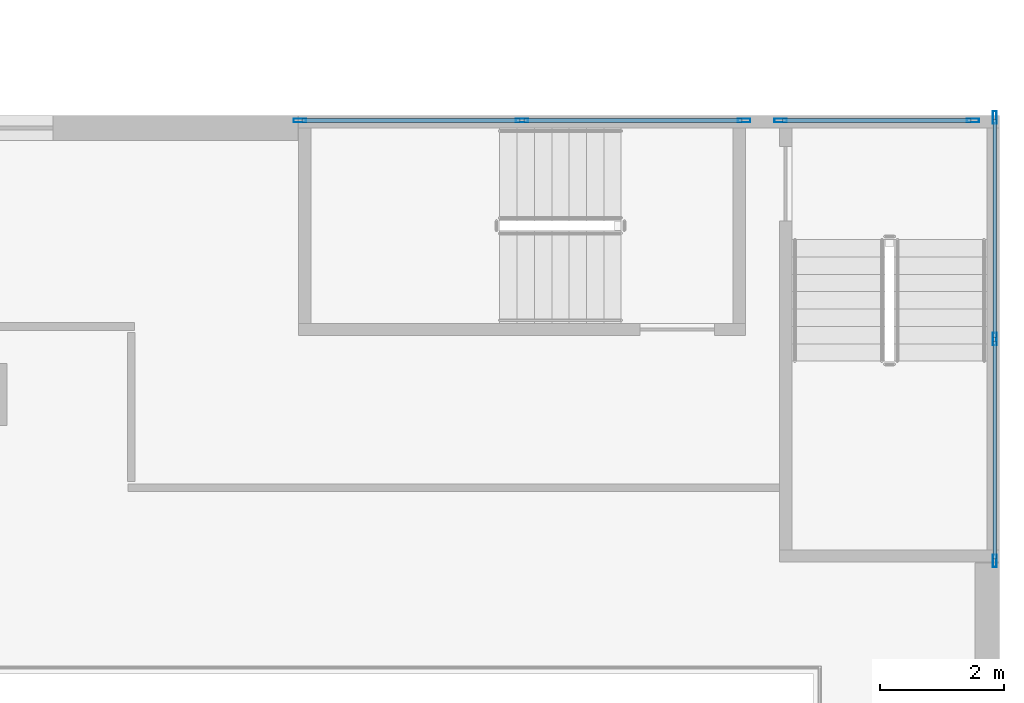
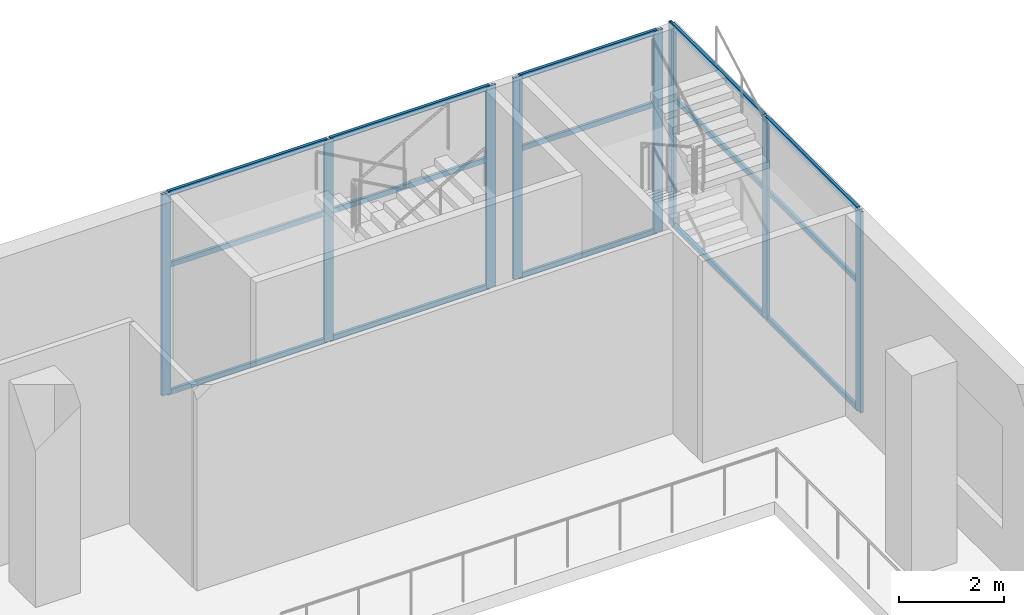
# One storey, part 7 of 23: 23 members, 3 elements without a shape of their own.
"""IFC4 building model written with IfcOpenShell, lengths in metres."""

from ifc_helpers import new_model, si_unit, direction, frame, origin, origin_2d, place, context, subcontext, project, spatial, hollow_rectangle, extrude, source, transform, mapped, material, material_profile, profile_set, type_object, element, aggregate, save


model = new_model("IFC4")

# Units and contexts
model_context = context("Model", 3, precision=1e-05, world=origin(), true_north=direction((0.0, 1.0)))
body_context = subcontext(model_context, "Body", "Model", "MODEL_VIEW")
ifc_project = project(units=[si_unit("LENGTHUNIT", "METRE"), si_unit("AREAUNIT", "SQUARE_METRE"), si_unit("VOLUMEUNIT", "CUBIC_METRE"), si_unit("PLANEANGLEUNIT", "RADIAN"), si_unit("MASSUNIT", "GRAM", prefix="KILO")], contexts=[model_context])

# Site, building, storey
site_placement = place(None, origin())
site = spatial("IfcSite", under=ifc_project, at=site_placement, CompositionType="ELEMENT")
building_placement = place(site_placement, origin())
building = spatial("IfcBuilding", under=site, at=building_placement, Name="Khomas Fold Tower", CompositionType="ELEMENT")
storey_placement = place(building_placement, frame((0.0, 0.0, 18.5)))
storey = spatial("IfcBuildingStorey", under=building, at=storey_placement, Name="L03", CompositionType="ELEMENT", Elevation=18.5)

# Curtain wall, members
ifc_material_1 = material(Name="Aluminium framed double glazing", Category="aluminium")
curtain_wall_type = type_object("IfcCurtainWallType", Name="Shopfront glazing PD-CW", PredefinedType="NOTDEFINED", material=ifc_material_1)
curtain_wall_1_placement = place(storey_placement, origin())
curtain_wall_1 = element("IfcCurtainWall", 1, at=curtain_wall_1_placement, inside=storey, type_object=curtain_wall_type, Name="Podium stair-tower glazing", PredefinedType="NOTDEFINED")
ifc_material_2 = material(Name="Aluminium", Category="aluminium")
ifc_material_profile_1 = material_profile(ifc_material_2, hollow_rectangle(XDim=0.06005859375, YDim=0.1201171875, WallThickness=0.00390625, at=origin_2d()), Name="Shopfront glazing transom PD-CW-T")
ifc_profile_set_1 = profile_set([ifc_material_profile_1], Name="Aluminium")
member_type_1 = type_object("IfcMemberType", Name="Shopfront glazing transom PD-CW-T", PredefinedType="USERDEFINED", material=ifc_profile_set_1)
shared_shape_1 = source(origin(), body_context, "Body", "SweptSolid", [
    extrude(hollow_rectangle(XDim=0.06005859375, YDim=0.1201171875, WallThickness=0.00390625, at=origin_2d()), origin(), (0.0, 0.0, 1.0), 3.0400390625),
])
member_1_placement = place(storey_placement, frame((80.5400390625, 53.919921875, 0.030029296875), z_axis=(-1.0, 0.0, 0.0), x_axis=(0.0, -1.0, 0.0)))
member_1 = element("IfcMember", 2, at=member_1_placement, type_object=member_type_1, Name="PD-CW transom 1.1", ObjectType="TRANSOM", PredefinedType="USERDEFINED", context=body_context, shape_type="MappedRepresentation", body=[
    mapped(shared_shape_1, transform((0.0, 0.0, 0.0))),
])
member_2_placement = place(storey_placement, frame((80.5400390625, 53.919921875, 3.0), z_axis=(-1.0, 0.0, 0.0), x_axis=(0.0, -1.0, 0.0)))
member_2 = element("IfcMember", 3, at=member_2_placement, type_object=member_type_1, Name="PD-CW transom 1.2", ObjectType="TRANSOM", PredefinedType="USERDEFINED", context=body_context, shape_type="MappedRepresentation", body=[
    mapped(shared_shape_1, transform((0.0, 0.0, 0.0))),
])
member_3_placement = place(storey_placement, frame((80.5400390625, 53.919921875, 4.669921875), z_axis=(-1.0, 0.0, 0.0), x_axis=(0.0, -1.0, 0.0)))
member_3 = element("IfcMember", 4, at=member_3_placement, type_object=member_type_1, Name="PD-CW transom 1.3", ObjectType="TRANSOM", PredefinedType="USERDEFINED", context=body_context, shape_type="MappedRepresentation", body=[
    mapped(shared_shape_1, transform((0.0, 0.0, 0.0))),
])

curtain_wall_2_placement = place(storey_placement, origin())
curtain_wall_2 = element("IfcCurtainWall", 5, at=curtain_wall_2_placement, inside=storey, type_object=curtain_wall_type, Name="Podium stair-tower glazing", PredefinedType="NOTDEFINED")
shared_shape_2 = source(origin(), body_context, "Body", "SweptSolid", [
    extrude(hollow_rectangle(XDim=0.06005859375, YDim=0.1201171875, WallThickness=0.00390625, at=origin_2d()), origin(), (0.0, 0.0, 1.0), 3.52001953125),
])
member_4_placement = place(storey_placement, frame((76.85009765625, 53.919921875, 0.030029296875), z_axis=(-1.0, 0.0, 0.0), x_axis=(0.0, -1.0, 0.0)))
member_4 = element("IfcMember", 6, at=member_4_placement, type_object=member_type_1, Name="PD-CW transom 1.1", ObjectType="TRANSOM", PredefinedType="USERDEFINED", context=body_context, shape_type="MappedRepresentation", body=[
    mapped(shared_shape_2, transform((0.0, 0.0, 0.0))),
])
member_5_placement = place(storey_placement, frame((76.85009765625, 53.919921875, 3.0), z_axis=(-1.0, 0.0, 0.0), x_axis=(0.0, -1.0, 0.0)))
member_5 = element("IfcMember", 7, at=member_5_placement, type_object=member_type_1, Name="PD-CW transom 1.2", ObjectType="TRANSOM", PredefinedType="USERDEFINED", context=body_context, shape_type="MappedRepresentation", body=[
    mapped(shared_shape_2, transform((0.0, 0.0, 0.0))),
])
member_6_placement = place(storey_placement, frame((76.85009765625, 53.919921875, 4.669921875), z_axis=(-1.0, 0.0, 0.0), x_axis=(0.0, -1.0, 0.0)))
member_6 = element("IfcMember", 8, at=member_6_placement, type_object=member_type_1, Name="PD-CW transom 1.3", ObjectType="TRANSOM", PredefinedType="USERDEFINED", context=body_context, shape_type="MappedRepresentation", body=[
    mapped(shared_shape_2, transform((0.0, 0.0, 0.0))),
])
member_7_placement = place(storey_placement, frame((73.27001953125, 53.919921875, 0.030029296875), z_axis=(-1.0, 0.0, 0.0), x_axis=(0.0, -1.0, 0.0)))
member_7 = element("IfcMember", 9, at=member_7_placement, type_object=member_type_1, Name="PD-CW transom 2.1", ObjectType="TRANSOM", PredefinedType="USERDEFINED", context=body_context, shape_type="MappedRepresentation", body=[
    mapped(shared_shape_2, transform((0.0, 0.0, 0.0))),
])
member_8_placement = place(storey_placement, frame((73.27001953125, 53.919921875, 3.0), z_axis=(-1.0, 0.0, 0.0), x_axis=(0.0, -1.0, 0.0)))
member_8 = element("IfcMember", 10, at=member_8_placement, type_object=member_type_1, Name="PD-CW transom 2.2", ObjectType="TRANSOM", PredefinedType="USERDEFINED", context=body_context, shape_type="MappedRepresentation", body=[
    mapped(shared_shape_2, transform((0.0, 0.0, 0.0))),
])
member_9_placement = place(storey_placement, frame((73.27001953125, 53.919921875, 4.669921875), z_axis=(-1.0, 0.0, 0.0), x_axis=(0.0, -1.0, 0.0)))
member_9 = element("IfcMember", 11, at=member_9_placement, type_object=member_type_1, Name="PD-CW transom 2.3", ObjectType="TRANSOM", PredefinedType="USERDEFINED", context=body_context, shape_type="MappedRepresentation", body=[
    mapped(shared_shape_2, transform((0.0, 0.0, 0.0))),
])

curtain_wall_3_placement = place(storey_placement, origin())
curtain_wall_3 = element("IfcCurtainWall", 12, at=curtain_wall_3_placement, inside=storey, type_object=curtain_wall_type, Name="Podium stair-tower glazing", PredefinedType="NOTDEFINED")
shared_shape_3 = source(origin(), body_context, "Body", "SweptSolid", [
    extrude(hollow_rectangle(XDim=0.06005859375, YDim=0.1201171875, WallThickness=0.00390625, at=origin_2d()), origin(), (0.0, 0.0, 1.0), 3.514892578125),
])
member_10_placement = place(storey_placement, frame((80.919921875, 46.85009765625, 0.030029296875), z_axis=(0.0, 1.0, 0.0), x_axis=(-1.0, 0.0, 0.0)))
member_10 = element("IfcMember", 13, at=member_10_placement, type_object=member_type_1, Name="PD-CW transom 1.1", ObjectType="TRANSOM", PredefinedType="USERDEFINED", context=body_context, shape_type="MappedRepresentation", body=[
    mapped(shared_shape_3, transform((0.0, 0.0, 0.0))),
])
member_11_placement = place(storey_placement, frame((80.919921875, 46.85009765625, 3.0), z_axis=(0.0, 1.0, 0.0), x_axis=(-1.0, 0.0, 0.0)))
member_11 = element("IfcMember", 14, at=member_11_placement, type_object=member_type_1, Name="PD-CW transom 1.2", ObjectType="TRANSOM", PredefinedType="USERDEFINED", context=body_context, shape_type="MappedRepresentation", body=[
    mapped(shared_shape_3, transform((0.0, 0.0, 0.0))),
])
member_12_placement = place(storey_placement, frame((80.919921875, 46.85009765625, 4.669921875), z_axis=(0.0, 1.0, 0.0), x_axis=(-1.0, 0.0, 0.0)))
member_12 = element("IfcMember", 15, at=member_12_placement, type_object=member_type_1, Name="PD-CW transom 1.3", ObjectType="TRANSOM", PredefinedType="USERDEFINED", context=body_context, shape_type="MappedRepresentation", body=[
    mapped(shared_shape_3, transform((0.0, 0.0, 0.0))),
])
member_13_placement = place(storey_placement, frame((80.919921875, 50.425048828125, 0.030029296875), z_axis=(0.0, 1.0, 0.0), x_axis=(-1.0, 0.0, 0.0)))
member_13 = element("IfcMember", 16, at=member_13_placement, type_object=member_type_1, Name="PD-CW transom 2.1", ObjectType="TRANSOM", PredefinedType="USERDEFINED", context=body_context, shape_type="MappedRepresentation", body=[
    mapped(shared_shape_3, transform((0.0, 0.0, 0.0))),
])
member_14_placement = place(storey_placement, frame((80.919921875, 50.425048828125, 3.0), z_axis=(0.0, 1.0, 0.0), x_axis=(-1.0, 0.0, 0.0)))
member_14 = element("IfcMember", 17, at=member_14_placement, type_object=member_type_1, Name="PD-CW transom 2.2", ObjectType="TRANSOM", PredefinedType="USERDEFINED", context=body_context, shape_type="MappedRepresentation", body=[
    mapped(shared_shape_3, transform((0.0, 0.0, 0.0))),
])
member_15_placement = place(storey_placement, frame((80.919921875, 50.425048828125, 4.669921875), z_axis=(0.0, 1.0, 0.0), x_axis=(-1.0, 0.0, 0.0)))
member_15 = element("IfcMember", 18, at=member_15_placement, type_object=member_type_1, Name="PD-CW transom 2.3", ObjectType="TRANSOM", PredefinedType="USERDEFINED", context=body_context, shape_type="MappedRepresentation", body=[
    mapped(shared_shape_3, transform((0.0, 0.0, 0.0))),
])
ifc_material_3 = material(Name="Aluminium", Category="aluminium")
ifc_material_profile_2 = material_profile(ifc_material_3, hollow_rectangle(XDim=0.06005859375, YDim=0.199951171875, WallThickness=0.00390625, at=origin_2d()), Name="Shopfront glazing mullion PD-CW-M")
ifc_profile_set_2 = profile_set([ifc_material_profile_2], Name="Aluminium")
member_type_2 = type_object("IfcMemberType", Name="Shopfront glazing mullion PD-CW-M", PredefinedType="MULLION", material=ifc_profile_set_2)
shared_shape_4 = source(origin(), body_context, "Body", "SweptSolid", [
    extrude(hollow_rectangle(XDim=0.06005859375, YDim=0.199951171875, WallThickness=0.00390625, at=origin_2d()), origin(), (0.0, 0.0, 1.0), 4.699951171875),
])
member_16_placement = place(storey_placement, frame((80.919921875, 46.820068359375, 0.0), z_axis=(0.0, 0.0, 1.0), x_axis=(-1.0, 0.0, 0.0)))
member_16 = element("IfcMember", 19, at=member_16_placement, type_object=member_type_2, Name="PD-CW mullion 1", PredefinedType="MULLION", context=body_context, shape_type="MappedRepresentation", body=[
    mapped(shared_shape_4, transform((0.0, 0.0, 0.0))),
])
member_17_placement = place(storey_placement, frame((80.919921875, 50.39501953125, 0.0), z_axis=(0.0, 0.0, 1.0), x_axis=(-1.0, 0.0, 0.0)))
member_17 = element("IfcMember", 20, at=member_17_placement, type_object=member_type_2, Name="PD-CW mullion 2", PredefinedType="MULLION", context=body_context, shape_type="MappedRepresentation", body=[
    mapped(shared_shape_4, transform((0.0, 0.0, 0.0))),
])
member_18_placement = place(storey_placement, frame((80.919921875, 53.969970703125, 0.0), z_axis=(0.0, 0.0, 1.0), x_axis=(-1.0, 0.0, 0.0)))
member_18 = element("IfcMember", 21, at=member_18_placement, type_object=member_type_2, Name="PD-CW mullion 3", PredefinedType="MULLION", context=body_context, shape_type="MappedRepresentation", body=[
    mapped(shared_shape_4, transform((0.0, 0.0, 0.0))),
])
aggregate(curtain_wall_3, [member_16, member_17, member_18, member_10, member_11, member_12, member_13, member_14, member_15])

# Member
member_19_placement = place(storey_placement, frame((80.570068359375, 53.919921875, 0.0), z_axis=(0.0, 0.0, 1.0), x_axis=(0.0, -1.0, 0.0)))
member_19 = element("IfcMember", 22, at=member_19_placement, type_object=member_type_2, Name="PD-CW mullion 1", PredefinedType="MULLION", context=body_context, shape_type="MappedRepresentation", body=[
    mapped(shared_shape_4, transform((0.0, 0.0, 0.0))),
])

member_20_placement = place(storey_placement, frame((77.469970703125, 53.919921875, 0.0), z_axis=(0.0, 0.0, 1.0), x_axis=(0.0, -1.0, 0.0)))
member_20 = element("IfcMember", 23, at=member_20_placement, type_object=member_type_2, Name="PD-CW mullion 2", PredefinedType="MULLION", context=body_context, shape_type="MappedRepresentation", body=[
    mapped(shared_shape_4, transform((0.0, 0.0, 0.0))),
])

aggregate(curtain_wall_1, [member_19, member_20, member_1, member_2, member_3])

member_21_placement = place(storey_placement, frame((76.8798828125, 53.919921875, 0.0), z_axis=(0.0, 0.0, 1.0), x_axis=(0.0, -1.0, 0.0)))
member_21 = element("IfcMember", 24, at=member_21_placement, type_object=member_type_2, Name="PD-CW mullion 1", PredefinedType="MULLION", context=body_context, shape_type="MappedRepresentation", body=[
    mapped(shared_shape_4, transform((0.0, 0.0, 0.0))),
])

member_22_placement = place(storey_placement, frame((73.300048828125, 53.919921875, 0.0), z_axis=(0.0, 0.0, 1.0), x_axis=(0.0, -1.0, 0.0)))
member_22 = element("IfcMember", 25, at=member_22_placement, type_object=member_type_2, Name="PD-CW mullion 2", PredefinedType="MULLION", context=body_context, shape_type="MappedRepresentation", body=[
    mapped(shared_shape_4, transform((0.0, 0.0, 0.0))),
])

member_23_placement = place(storey_placement, frame((69.719970703125, 53.919921875, 0.0), z_axis=(0.0, 0.0, 1.0), x_axis=(0.0, -1.0, 0.0)))
member_23 = element("IfcMember", 26, at=member_23_placement, type_object=member_type_2, Name="PD-CW mullion 3", PredefinedType="MULLION", context=body_context, shape_type="MappedRepresentation", body=[
    mapped(shared_shape_4, transform((0.0, 0.0, 0.0))),
])

aggregate(curtain_wall_2, [member_21, member_22, member_23, member_4, member_5, member_6, member_7, member_8, member_9])

save(model, "model.ifc")
